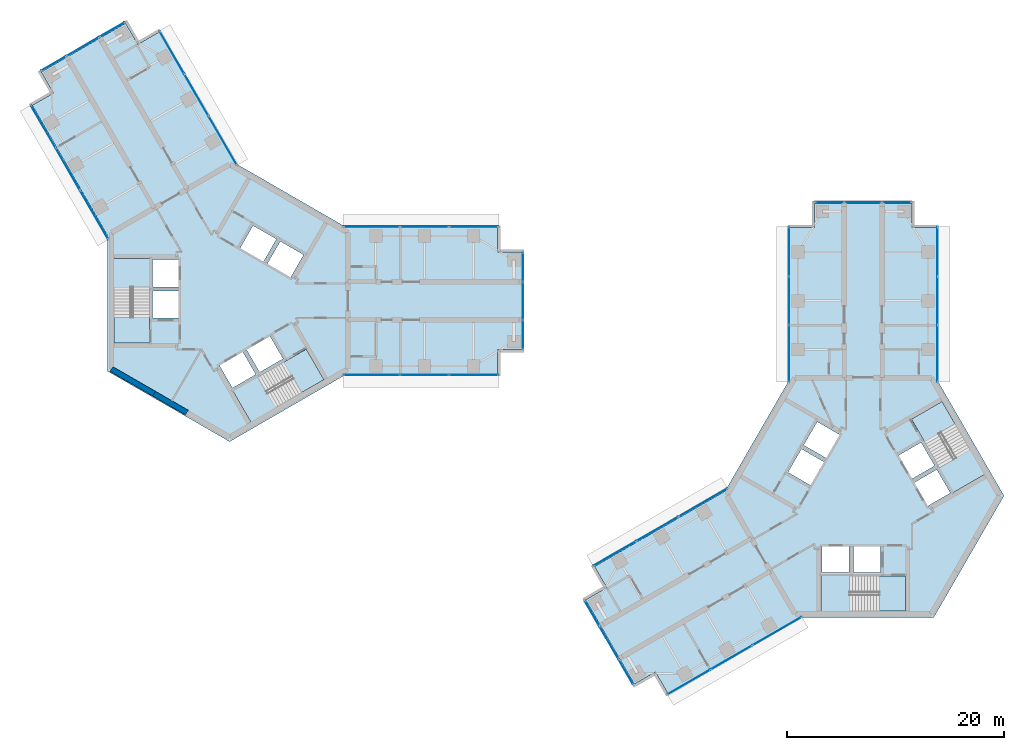
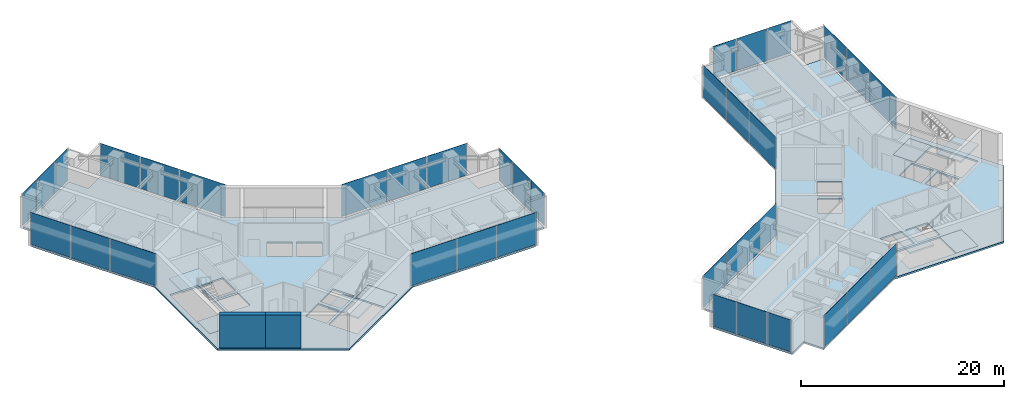
# One storey, part 10 of 17: 36 plates, 10 slabs, 2 walls, 16 elements without a shape of their own.
"""IFC4 building model written with IfcOpenShell, lengths in metres."""

from ifc_helpers import new_model, si_unit, direction, frame, frame_2d, origin, origin_2d, place, context, subcontext, project, spatial, polyline, rectangle, outline, extrude, material, layer, layer_set, type_object, element, aggregate, save


model = new_model("IFC4")

# Units and contexts
model_context = context("Model", 3, precision=1e-05, world=origin(), true_north=direction((0.0, 1.0)))
body_context = subcontext(model_context, "Body", "Model", "MODEL_VIEW")
ifc_project = project(units=[si_unit("LENGTHUNIT", "METRE"), si_unit("AREAUNIT", "SQUARE_METRE"), si_unit("VOLUMEUNIT", "CUBIC_METRE"), si_unit("PLANEANGLEUNIT", "RADIAN"), si_unit("MASSUNIT", "GRAM", prefix="KILO")], contexts=[model_context])

# Site, building, storey
site_placement = place(None, origin())
site = spatial("IfcSite", under=ifc_project, at=site_placement, CompositionType="ELEMENT")
building_placement = place(site_placement, origin())
building = spatial("IfcBuilding", under=site, at=building_placement, Name="Upepo Twin Towers", CompositionType="ELEMENT")
storey_placement = place(building_placement, frame((0.0, 0.0, 174.5)))
storey = spatial("IfcBuildingStorey", under=building, at=storey_placement, Name="L42", CompositionType="ELEMENT", Elevation=174.5)

# Curtain wall, plates
ifc_material_1 = material(Name="Aluminium and fritted glass", Category="aluminium")
curtain_wall_type = type_object("IfcCurtainWallType", Name="Tower curtain wall TW3, fritted glass", PredefinedType="NOTDEFINED", material=ifc_material_1)
curtain_wall_1_placement = place(storey_placement, origin())
curtain_wall_1 = element("IfcCurtainWall", 1, at=curtain_wall_1_placement, inside=storey, type_object=curtain_wall_type, Name="T1 L42 wing A flank L curtain wall", PredefinedType="NOTDEFINED")
ifc_material_2 = material(Name="Ceramic-fritted laminated glass", Category="glass")
ifc_layer_1 = layer(ifc_material_2, 0.031982421875)
ifc_layer_set_1 = layer_set([ifc_layer_1], Name="Fritted glass panel, 50 per cent dot frit, 32 mm double glazed")
plate_type_1 = type_object("IfcPlateType", Name="Fritted glass panel, 50 per cent dot frit, 32 mm double glazed", PredefinedType="CURTAIN_PANEL", material=ifc_layer_set_1)
plate_1_placement = place(storey_placement, frame((13.134765625, 6.85009765625, 0.14990234375), z_axis=(0.0, 0.0, 1.0), x_axis=(1.0, 0.0, 0.0)))
plate_1 = element("IfcPlate", 2, at=plate_1_placement, type_object=plate_type_1, Name="T1 L42 wing A flank L curtain wall panel 1", PredefinedType="CURTAIN_PANEL", context=body_context, shape_type="SweptSolid", body=[
    extrude(rectangle(XDim=5.165283203125, YDim=0.031982421875, at=origin_2d()), origin(), (0.0, 0.0, 1.0), 3.85009765625),
])
plate_2_placement = place(storey_placement, frame((18.0, 6.85009765625, 0.14990234375), z_axis=(0.0, 0.0, 1.0), x_axis=(1.0, 0.0, 0.0)))
plate_2 = element("IfcPlate", 3, at=plate_2_placement, type_object=plate_type_1, Name="T1 L42 wing A flank L curtain wall panel 2", PredefinedType="CURTAIN_PANEL", context=body_context, shape_type="SweptSolid", body=[
    extrude(rectangle(XDim=4.43505859375, YDim=0.031982421875, at=origin_2d()), origin(), (0.0, 0.0, 1.0), 3.85009765625),
])
plate_3_placement = place(storey_placement, frame((22.53369140625, 6.85009765625, 0.14990234375), z_axis=(0.0, 0.0, 1.0), x_axis=(1.0, 0.0, 0.0)))
plate_3 = element("IfcPlate", 4, at=plate_3_placement, type_object=plate_type_1, Name="T1 L42 wing A flank L curtain wall panel 3", PredefinedType="CURTAIN_PANEL", context=body_context, shape_type="SweptSolid", body=[
    extrude(rectangle(XDim=4.50244140625, YDim=0.031982421875, at=origin_2d()), origin(), (0.0, 0.0, 1.0), 3.85009765625),
])
aggregate(curtain_wall_1, [plate_1, plate_2, plate_3])

curtain_wall_2_placement = place(storey_placement, origin())
curtain_wall_2 = element("IfcCurtainWall", 5, at=curtain_wall_2_placement, inside=storey, type_object=curtain_wall_type, Name="T1 L42 wing A flank R curtain wall", PredefinedType="NOTDEFINED")
plate_4_placement = place(storey_placement, frame((22.53369140625, -6.85009765625, 0.14990234375), z_axis=(0.0, 0.0, 1.0), x_axis=(-1.0, 0.0, 0.0)))
plate_4 = element("IfcPlate", 6, at=plate_4_placement, type_object=plate_type_1, Name="T1 L42 wing A flank R curtain wall panel 1", PredefinedType="CURTAIN_PANEL", context=body_context, shape_type="SweptSolid", body=[
    extrude(rectangle(XDim=4.50244140625, YDim=0.031982421875, at=origin_2d()), origin(), (0.0, 0.0, 1.0), 3.85009765625),
])
plate_5_placement = place(storey_placement, frame((18.0, -6.85009765625, 0.14990234375), z_axis=(0.0, 0.0, 1.0), x_axis=(-1.0, 0.0, 0.0)))
plate_5 = element("IfcPlate", 7, at=plate_5_placement, type_object=plate_type_1, Name="T1 L42 wing A flank R curtain wall panel 2", PredefinedType="CURTAIN_PANEL", context=body_context, shape_type="SweptSolid", body=[
    extrude(rectangle(XDim=4.43505859375, YDim=0.031982421875, at=origin_2d()), origin(), (0.0, 0.0, 1.0), 3.85009765625),
])
plate_6_placement = place(storey_placement, frame((13.134765625, -6.85009765625, 0.14990234375), z_axis=(0.0, 0.0, 1.0), x_axis=(-1.0, 0.0, 0.0)))
plate_6 = element("IfcPlate", 8, at=plate_6_placement, type_object=plate_type_1, Name="T1 L42 wing A flank R curtain wall panel 3", PredefinedType="CURTAIN_PANEL", context=body_context, shape_type="SweptSolid", body=[
    extrude(rectangle(XDim=5.165283203125, YDim=0.031982421875, at=origin_2d()), origin(), (0.0, 0.0, 1.0), 3.85009765625),
])
aggregate(curtain_wall_2, [plate_4, plate_5, plate_6])

# Curtain wall, plate
curtain_wall_3_placement = place(storey_placement, origin())
curtain_wall_3 = element("IfcCurtainWall", 9, at=curtain_wall_3_placement, inside=storey, type_object=curtain_wall_type, Name="T1 L42 wing A nose curtain wall", PredefinedType="NOTDEFINED")
plate_7_placement = place(storey_placement, frame((27.10009765625, 0.0, 0.14990234375), z_axis=(0.0, 0.0, 1.0), x_axis=(0.0, 1.0, 0.0)))
plate_7 = element("IfcPlate", 10, at=plate_7_placement, type_object=plate_type_1, Name="T1 L42 wing A nose curtain wall panel 2", PredefinedType="CURTAIN_PANEL", context=body_context, shape_type="SweptSolid", body=[
    extrude(rectangle(XDim=3.43505859375, YDim=0.031982421875, at=origin_2d()), origin(), (0.0, 0.0, 1.0), 3.85009765625),
])

# Curtain wall, plates
curtain_wall_4_placement = place(storey_placement, origin())
curtain_wall_4 = element("IfcCurtainWall", 11, at=curtain_wall_4_placement, inside=storey, type_object=curtain_wall_type, Name="T1 L42 wing B flank L curtain wall", PredefinedType="NOTDEFINED")
plate_8_placement = place(storey_placement, frame((-12.499755859375, 7.9501953125, 0.14990234375), z_axis=(0.0, 0.0, 1.0), x_axis=(-0.500000026527, 0.866025388469, 0.0)))
plate_8 = element("IfcPlate", 12, at=plate_8_placement, type_object=plate_type_1, Name="T1 L42 wing B flank L curtain wall panel 1", PredefinedType="CURTAIN_PANEL", context=body_context, shape_type="SweptSolid", body=[
    extrude(rectangle(XDim=5.165283203125, YDim=0.031982421875, at=origin_2d()), origin(), (0.0, 0.0, 1.0), 3.85009765625),
])
plate_9_placement = place(storey_placement, frame((-14.932373046875, 12.16357421875, 0.14990234375), z_axis=(0.0, 0.0, 1.0), x_axis=(-0.500000026527, 0.866025388469, 0.0)))
plate_9 = element("IfcPlate", 13, at=plate_9_placement, type_object=plate_type_1, Name="T1 L42 wing B flank L curtain wall panel 2", PredefinedType="CURTAIN_PANEL", context=body_context, shape_type="SweptSolid", body=[
    extrude(rectangle(XDim=4.43505859375, YDim=0.031982421875, at=origin_2d()), origin(), (0.0, 0.0, 1.0), 3.85009765625),
])
plate_10_placement = place(storey_placement, frame((-17.19921875, 16.08984375, 0.14990234375), z_axis=(0.0, 0.0, 1.0), x_axis=(-0.500000026527, 0.866025388469, 0.0)))
plate_10 = element("IfcPlate", 14, at=plate_10_placement, type_object=plate_type_1, Name="T1 L42 wing B flank L curtain wall panel 3", PredefinedType="CURTAIN_PANEL", context=body_context, shape_type="SweptSolid", body=[
    extrude(rectangle(XDim=4.50244140625, YDim=0.031982421875, at=origin_2d()), origin(), (0.0, 0.0, 1.0), 3.85009765625),
])
aggregate(curtain_wall_4, [plate_8, plate_9, plate_10])

curtain_wall_5_placement = place(storey_placement, origin())
curtain_wall_5 = element("IfcCurtainWall", 15, at=curtain_wall_5_placement, inside=storey, type_object=curtain_wall_type, Name="T1 L42 wing B flank R curtain wall", PredefinedType="NOTDEFINED")
plate_11_placement = place(storey_placement, frame((-5.334716796875, 22.939697265625, 0.14990234375), z_axis=(0.0, 0.0, 1.0), x_axis=(0.500000026527, -0.866025388469, 0.0)))
plate_11 = element("IfcPlate", 16, at=plate_11_placement, type_object=plate_type_1, Name="T1 L42 wing B flank R curtain wall panel 1", PredefinedType="CURTAIN_PANEL", context=body_context, shape_type="SweptSolid", body=[
    extrude(rectangle(XDim=4.50244140625, YDim=0.031982421875, at=origin_2d()), origin(), (0.0, 0.0, 1.0), 3.85009765625),
])
plate_12_placement = place(storey_placement, frame((-3.067626953125, 19.013427734375, 0.14990234375), z_axis=(0.0, 0.0, 1.0), x_axis=(0.500000026527, -0.866025388469, 0.0)))
plate_12 = element("IfcPlate", 17, at=plate_12_placement, type_object=plate_type_1, Name="T1 L42 wing B flank R curtain wall panel 2", PredefinedType="CURTAIN_PANEL", context=body_context, shape_type="SweptSolid", body=[
    extrude(rectangle(XDim=4.43505859375, YDim=0.031982421875, at=origin_2d()), origin(), (0.0, 0.0, 1.0), 3.85009765625),
])
plate_13_placement = place(storey_placement, frame((-0.635009765625, 14.800048828125, 0.14990234375), z_axis=(0.0, 0.0, 1.0), x_axis=(0.500000026527, -0.866025388469, 0.0)))
plate_13 = element("IfcPlate", 18, at=plate_13_placement, type_object=plate_type_1, Name="T1 L42 wing B flank R curtain wall panel 3", PredefinedType="CURTAIN_PANEL", context=body_context, shape_type="SweptSolid", body=[
    extrude(rectangle(XDim=5.165283203125, YDim=0.031982421875, at=origin_2d()), origin(), (0.0, 0.0, 1.0), 3.85009765625),
])
aggregate(curtain_wall_5, [plate_11, plate_12, plate_13])

# Curtain wall, plate
curtain_wall_6_placement = place(storey_placement, origin())
curtain_wall_6 = element("IfcCurtainWall", 19, at=curtain_wall_6_placement, inside=storey, type_object=curtain_wall_type, Name="T1 L42 wing B nose curtain wall", PredefinedType="NOTDEFINED")
plate_14_placement = place(storey_placement, frame((-13.550048828125, 23.46923828125, 0.14990234375), z_axis=(0.0, 0.0, 1.0), x_axis=(-0.866025386174, -0.500000030502, 0.0)))
plate_14 = element("IfcPlate", 20, at=plate_14_placement, type_object=plate_type_1, Name="T1 L42 wing B nose curtain wall panel 2", PredefinedType="CURTAIN_PANEL", context=body_context, shape_type="SweptSolid", body=[
    extrude(rectangle(XDim=3.43505859375, YDim=0.031982421875, at=origin_2d()), origin(), (0.0, 0.0, 1.0), 3.85009765625),
])

# Curtain wall, plates
curtain_wall_7_placement = place(storey_placement, origin())
curtain_wall_7 = element("IfcCurtainWall", 21, at=curtain_wall_7_placement, inside=storey, type_object=curtain_wall_type, Name="T2 L42 wing A flank L curtain wall", PredefinedType="NOTDEFINED")
plate_15_placement = place(storey_placement, frame((51.64990234375, -4.865234375, 0.14990234375), z_axis=(0.0, 0.0, 1.0), x_axis=(0.0, 1.0, 0.0)))
plate_15 = element("IfcPlate", 22, at=plate_15_placement, type_object=plate_type_1, Name="T2 L42 wing A flank L curtain wall panel 1", PredefinedType="CURTAIN_PANEL", context=body_context, shape_type="SweptSolid", body=[
    extrude(rectangle(XDim=5.165283203125, YDim=0.031982421875, at=origin_2d()), origin(), (0.0, 0.0, 1.0), 3.85009765625),
])
plate_16_placement = place(storey_placement, frame((51.64990234375, 0.0, 0.14990234375), z_axis=(0.0, 0.0, 1.0), x_axis=(0.0, 1.0, 0.0)))
plate_16 = element("IfcPlate", 23, at=plate_16_placement, type_object=plate_type_1, Name="T2 L42 wing A flank L curtain wall panel 2", PredefinedType="CURTAIN_PANEL", context=body_context, shape_type="SweptSolid", body=[
    extrude(rectangle(XDim=4.43505859375, YDim=0.031982421875, at=origin_2d()), origin(), (0.0, 0.0, 1.0), 3.85009765625),
])
plate_17_placement = place(storey_placement, frame((51.64990234375, 4.53369140625, 0.14990234375), z_axis=(0.0, 0.0, 1.0), x_axis=(0.0, 1.0, 0.0)))
plate_17 = element("IfcPlate", 24, at=plate_17_placement, type_object=plate_type_1, Name="T2 L42 wing A flank L curtain wall panel 3", PredefinedType="CURTAIN_PANEL", context=body_context, shape_type="SweptSolid", body=[
    extrude(rectangle(XDim=4.50244140625, YDim=0.031982421875, at=origin_2d()), origin(), (0.0, 0.0, 1.0), 3.85009765625),
])
aggregate(curtain_wall_7, [plate_15, plate_16, plate_17])

curtain_wall_8_placement = place(storey_placement, origin())
curtain_wall_8 = element("IfcCurtainWall", 25, at=curtain_wall_8_placement, inside=storey, type_object=curtain_wall_type, Name="T2 L42 wing A flank R curtain wall", PredefinedType="NOTDEFINED")
plate_18_placement = place(storey_placement, frame((65.35009765625, 4.53369140625, 0.14990234375), z_axis=(0.0, 0.0, 1.0), x_axis=(0.0, -1.0, 0.0)))
plate_18 = element("IfcPlate", 26, at=plate_18_placement, type_object=plate_type_1, Name="T2 L42 wing A flank R curtain wall panel 1", PredefinedType="CURTAIN_PANEL", context=body_context, shape_type="SweptSolid", body=[
    extrude(rectangle(XDim=4.50244140625, YDim=0.031982421875, at=origin_2d()), origin(), (0.0, 0.0, 1.0), 3.85009765625),
])
plate_19_placement = place(storey_placement, frame((65.35009765625, 0.0, 0.14990234375), z_axis=(0.0, 0.0, 1.0), x_axis=(0.0, -1.0, 0.0)))
plate_19 = element("IfcPlate", 27, at=plate_19_placement, type_object=plate_type_1, Name="T2 L42 wing A flank R curtain wall panel 2", PredefinedType="CURTAIN_PANEL", context=body_context, shape_type="SweptSolid", body=[
    extrude(rectangle(XDim=4.43505859375, YDim=0.031982421875, at=origin_2d()), origin(), (0.0, 0.0, 1.0), 3.85009765625),
])
plate_20_placement = place(storey_placement, frame((65.35009765625, -4.865234375, 0.14990234375), z_axis=(0.0, 0.0, 1.0), x_axis=(0.0, -1.0, 0.0)))
plate_20 = element("IfcPlate", 28, at=plate_20_placement, type_object=plate_type_1, Name="T2 L42 wing A flank R curtain wall panel 3", PredefinedType="CURTAIN_PANEL", context=body_context, shape_type="SweptSolid", body=[
    extrude(rectangle(XDim=5.165283203125, YDim=0.031982421875, at=origin_2d()), origin(), (0.0, 0.0, 1.0), 3.85009765625),
])
aggregate(curtain_wall_8, [plate_18, plate_19, plate_20])

# Curtain wall, plate
curtain_wall_9_placement = place(storey_placement, origin())
curtain_wall_9 = element("IfcCurtainWall", 29, at=curtain_wall_9_placement, inside=storey, type_object=curtain_wall_type, Name="T2 L42 wing A nose curtain wall", PredefinedType="NOTDEFINED")
plate_21_placement = place(storey_placement, frame((58.5, 9.10009765625, 0.14990234375), z_axis=(0.0, 0.0, 1.0), x_axis=(-1.0, 0.0, 0.0)))
plate_21 = element("IfcPlate", 30, at=plate_21_placement, type_object=plate_type_1, Name="T2 L42 wing A nose curtain wall panel 2", PredefinedType="CURTAIN_PANEL", context=body_context, shape_type="SweptSolid", body=[
    extrude(rectangle(XDim=3.43505859375, YDim=0.031982421875, at=origin_2d()), origin(), (0.0, 0.0, 1.0), 3.85009765625),
])

# Curtain wall, plates
curtain_wall_10_placement = place(storey_placement, origin())
curtain_wall_10 = element("IfcCurtainWall", 31, at=curtain_wall_10_placement, inside=storey, type_object=curtain_wall_type, Name="T2 L42 wing B flank L curtain wall", PredefinedType="NOTDEFINED")
plate_22_placement = place(storey_placement, frame((50.5498046875, -30.499755859375, 0.14990234375), z_axis=(0.0, 0.0, 1.0), x_axis=(-0.866025388469, -0.500000026527, 0.0)))
plate_22 = element("IfcPlate", 32, at=plate_22_placement, type_object=plate_type_1, Name="T2 L42 wing B flank L curtain wall panel 1", PredefinedType="CURTAIN_PANEL", context=body_context, shape_type="SweptSolid", body=[
    extrude(rectangle(XDim=5.165283203125, YDim=0.031982421875, at=origin_2d()), origin(), (0.0, 0.0, 1.0), 3.85009765625),
])
plate_23_placement = place(storey_placement, frame((46.33642578125, -32.932373046875, 0.14990234375), z_axis=(0.0, 0.0, 1.0), x_axis=(-0.866025388469, -0.500000026527, 0.0)))
plate_23 = element("IfcPlate", 33, at=plate_23_placement, type_object=plate_type_1, Name="T2 L42 wing B flank L curtain wall panel 2", PredefinedType="CURTAIN_PANEL", context=body_context, shape_type="SweptSolid", body=[
    extrude(rectangle(XDim=4.43505859375, YDim=0.031982421875, at=origin_2d()), origin(), (0.0, 0.0, 1.0), 3.85009765625),
])
plate_24_placement = place(storey_placement, frame((42.41015625, -35.19921875, 0.14990234375), z_axis=(0.0, 0.0, 1.0), x_axis=(-0.866025388469, -0.500000026527, 0.0)))
plate_24 = element("IfcPlate", 34, at=plate_24_placement, type_object=plate_type_1, Name="T2 L42 wing B flank L curtain wall panel 3", PredefinedType="CURTAIN_PANEL", context=body_context, shape_type="SweptSolid", body=[
    extrude(rectangle(XDim=4.50244140625, YDim=0.031982421875, at=origin_2d()), origin(), (0.0, 0.0, 1.0), 3.85009765625),
])
aggregate(curtain_wall_10, [plate_22, plate_23, plate_24])

curtain_wall_11_placement = place(storey_placement, origin())
curtain_wall_11 = element("IfcCurtainWall", 35, at=curtain_wall_11_placement, inside=storey, type_object=curtain_wall_type, Name="T2 L42 wing B flank R curtain wall", PredefinedType="NOTDEFINED")
plate_25_placement = place(storey_placement, frame((35.560302734375, -23.334716796875, 0.14990234375), z_axis=(0.0, 0.0, 1.0), x_axis=(0.866025388469, 0.500000026527, 0.0)))
plate_25 = element("IfcPlate", 36, at=plate_25_placement, type_object=plate_type_1, Name="T2 L42 wing B flank R curtain wall panel 1", PredefinedType="CURTAIN_PANEL", context=body_context, shape_type="SweptSolid", body=[
    extrude(rectangle(XDim=4.50244140625, YDim=0.031982421875, at=origin_2d()), origin(), (0.0, 0.0, 1.0), 3.85009765625),
])
plate_26_placement = place(storey_placement, frame((39.486572265625, -21.067626953125, 0.14990234375), z_axis=(0.0, 0.0, 1.0), x_axis=(0.866025388469, 0.500000026527, 0.0)))
plate_26 = element("IfcPlate", 37, at=plate_26_placement, type_object=plate_type_1, Name="T2 L42 wing B flank R curtain wall panel 2", PredefinedType="CURTAIN_PANEL", context=body_context, shape_type="SweptSolid", body=[
    extrude(rectangle(XDim=4.43505859375, YDim=0.031982421875, at=origin_2d()), origin(), (0.0, 0.0, 1.0), 3.85009765625),
])
plate_27_placement = place(storey_placement, frame((43.699951171875, -18.635009765625, 0.14990234375), z_axis=(0.0, 0.0, 1.0), x_axis=(0.866025388469, 0.500000026527, 0.0)))
plate_27 = element("IfcPlate", 38, at=plate_27_placement, type_object=plate_type_1, Name="T2 L42 wing B flank R curtain wall panel 3", PredefinedType="CURTAIN_PANEL", context=body_context, shape_type="SweptSolid", body=[
    extrude(rectangle(XDim=5.165283203125, YDim=0.031982421875, at=origin_2d()), origin(), (0.0, 0.0, 1.0), 3.85009765625),
])
aggregate(curtain_wall_11, [plate_25, plate_26, plate_27])

# Curtain wall, plate
curtain_wall_12_placement = place(storey_placement, origin())
curtain_wall_12 = element("IfcCurtainWall", 39, at=curtain_wall_12_placement, inside=storey, type_object=curtain_wall_type, Name="T2 L42 wing B nose curtain wall", PredefinedType="NOTDEFINED")
plate_28_placement = place(storey_placement, frame((35.03076171875, -31.550048828125, 0.14990234375), z_axis=(0.0, 0.0, 1.0), x_axis=(0.500000030502, -0.866025386174, 0.0)))
plate_28 = element("IfcPlate", 40, at=plate_28_placement, type_object=plate_type_1, Name="T2 L42 wing B nose curtain wall panel 2", PredefinedType="CURTAIN_PANEL", context=body_context, shape_type="SweptSolid", body=[
    extrude(rectangle(XDim=3.43505859375, YDim=0.031982421875, at=origin_2d()), origin(), (0.0, 0.0, 1.0), 3.85009765625),
])

# Plate
ifc_material_3 = material(Name="Clear laminated glass in opening sash", Category="glass")
ifc_layer_2 = layer(ifc_material_3, 0.031982421875)
ifc_layer_set_2 = layer_set([ifc_layer_2], Name="Operable glass panel, 32 mm double glazed")
plate_type_2 = type_object("IfcPlateType", Name="Operable glass panel, 32 mm double glazed", PredefinedType="CURTAIN_PANEL", material=ifc_layer_set_2)
plate_29_placement = place(storey_placement, frame((27.10009765625, -3.108642578125, 0.14990234375), z_axis=(0.0, 0.0, 1.0), x_axis=(0.0, 1.0, 0.0)))
plate_29 = element("IfcPlate", 41, at=plate_29_placement, type_object=plate_type_2, Name="T1 L42 wing A nose curtain wall panel 1", PredefinedType="CURTAIN_PANEL", context=body_context, shape_type="SweptSolid", body=[
    extrude(rectangle(XDim=2.652587890625, YDim=0.031982421875, at=origin_2d()), origin(), (0.0, 0.0, 1.0), 3.85009765625),
])

plate_30_placement = place(storey_placement, frame((27.10009765625, 3.108642578125, 0.14990234375), z_axis=(0.0, 0.0, 1.0), x_axis=(0.0, 1.0, 0.0)))
plate_30 = element("IfcPlate", 42, at=plate_30_placement, type_object=plate_type_2, Name="T1 L42 wing A nose curtain wall panel 3", PredefinedType="CURTAIN_PANEL", context=body_context, shape_type="SweptSolid", body=[
    extrude(rectangle(XDim=2.652587890625, YDim=0.031982421875, at=origin_2d()), origin(), (0.0, 0.0, 1.0), 3.85009765625),
])

aggregate(curtain_wall_3, [plate_29, plate_7, plate_30])

plate_31_placement = place(storey_placement, frame((-10.857666015625, 25.023681640625, 0.14990234375), z_axis=(0.0, 0.0, 1.0), x_axis=(-0.866025386174, -0.500000030502, 0.0)))
plate_31 = element("IfcPlate", 43, at=plate_31_placement, type_object=plate_type_2, Name="T1 L42 wing B nose curtain wall panel 1", PredefinedType="CURTAIN_PANEL", context=body_context, shape_type="SweptSolid", body=[
    extrude(rectangle(XDim=2.652587890625, YDim=0.031982421875, at=origin_2d()), origin(), (0.0, 0.0, 1.0), 3.85009765625),
])

plate_32_placement = place(storey_placement, frame((-16.2421875, 21.914794921875, 0.14990234375), z_axis=(0.0, 0.0, 1.0), x_axis=(-0.866025386174, -0.500000030502, 0.0)))
plate_32 = element("IfcPlate", 44, at=plate_32_placement, type_object=plate_type_2, Name="T1 L42 wing B nose curtain wall panel 3", PredefinedType="CURTAIN_PANEL", context=body_context, shape_type="SweptSolid", body=[
    extrude(rectangle(XDim=2.652587890625, YDim=0.031982421875, at=origin_2d()), origin(), (0.0, 0.0, 1.0), 3.85009765625),
])

aggregate(curtain_wall_6, [plate_31, plate_14, plate_32])

plate_33_placement = place(storey_placement, frame((61.608642578125, 9.10009765625, 0.14990234375), z_axis=(0.0, 0.0, 1.0), x_axis=(-1.0, 0.0, 0.0)))
plate_33 = element("IfcPlate", 45, at=plate_33_placement, type_object=plate_type_2, Name="T2 L42 wing A nose curtain wall panel 1", PredefinedType="CURTAIN_PANEL", context=body_context, shape_type="SweptSolid", body=[
    extrude(rectangle(XDim=2.652587890625, YDim=0.031982421875, at=origin_2d()), origin(), (0.0, 0.0, 1.0), 3.85009765625),
])

plate_34_placement = place(storey_placement, frame((55.391357421875, 9.10009765625, 0.14990234375), z_axis=(0.0, 0.0, 1.0), x_axis=(-1.0, 0.0, 0.0)))
plate_34 = element("IfcPlate", 46, at=plate_34_placement, type_object=plate_type_2, Name="T2 L42 wing A nose curtain wall panel 3", PredefinedType="CURTAIN_PANEL", context=body_context, shape_type="SweptSolid", body=[
    extrude(rectangle(XDim=2.652587890625, YDim=0.031982421875, at=origin_2d()), origin(), (0.0, 0.0, 1.0), 3.85009765625),
])

aggregate(curtain_wall_9, [plate_33, plate_21, plate_34])

plate_35_placement = place(storey_placement, frame((33.476318359375, -28.857666015625, 0.14990234375), z_axis=(0.0, 0.0, 1.0), x_axis=(0.500000030502, -0.866025386174, 0.0)))
plate_35 = element("IfcPlate", 47, at=plate_35_placement, type_object=plate_type_2, Name="T2 L42 wing B nose curtain wall panel 1", PredefinedType="CURTAIN_PANEL", context=body_context, shape_type="SweptSolid", body=[
    extrude(rectangle(XDim=2.652587890625, YDim=0.031982421875, at=origin_2d()), origin(), (0.0, 0.0, 1.0), 3.85009765625),
])

plate_36_placement = place(storey_placement, frame((36.585205078125, -34.2421875, 0.14990234375), z_axis=(0.0, 0.0, 1.0), x_axis=(0.500000030502, -0.866025386174, 0.0)))
plate_36 = element("IfcPlate", 48, at=plate_36_placement, type_object=plate_type_2, Name="T2 L42 wing B nose curtain wall panel 3", PredefinedType="CURTAIN_PANEL", context=body_context, shape_type="SweptSolid", body=[
    extrude(rectangle(XDim=2.652587890625, YDim=0.031982421875, at=origin_2d()), origin(), (0.0, 0.0, 1.0), 3.85009765625),
])

aggregate(curtain_wall_12, [plate_35, plate_28, plate_36])

# Stair, slabs
ifc_material_4 = material(Name="Concrete C40/50", Category="concrete")
stair_type = type_object("IfcStairType", Name="Core stair, two flights", PredefinedType="HALF_TURN_STAIR", material=ifc_material_4)
stair_1_placement = place(storey_placement, origin())
stair_1 = element("IfcStair", 49, at=stair_1_placement, inside=storey, type_object=stair_type, Name="T1 stair S1 L42", PredefinedType="HALF_TURN_STAIR")
ifc_material_5 = material(Name="Concrete C40/50", Category="concrete")
ifc_layer_3 = layer(ifc_material_5, 0.199951171875)
ifc_layer_set_3 = layer_set([ifc_layer_3], Name="Concrete C40/50")
slab_type_1 = type_object("IfcSlabType", Name="Stair landing 200 RC", PredefinedType="LANDING", material=ifc_layer_set_3)
slab_1_placement = place(storey_placement, frame((0.0, 0.0, -0.199951171875)))
slab_1 = element("IfcSlab", 50, at=slab_1_placement, type_object=slab_type_1, Name="Stair S1 landing 1", PredefinedType="LANDING", context=body_context, shape_type="SweptSolid", body=[
    extrude(outline(polyline([(-7.39990234375, -1.419921875), (-10.658447265625, -1.419921875), (-10.658447265625, -3.89990234375), (-7.39990234375, -3.89990234375), (-7.39990234375, -1.419921875)])), origin(), (0.0, 0.0, 1.0), 0.199951171875),
])
slab_2_placement = place(storey_placement, frame((0.0, 0.0, 1.800048828125)))
slab_2 = element("IfcSlab", 51, at=slab_2_placement, type_object=slab_type_1, Name="Stair S1 landing 2", PredefinedType="LANDING", context=body_context, shape_type="SweptSolid", body=[
    extrude(outline(polyline([(-7.300048828125, 3.89990234375), (-10.75830078125, 3.89990234375), (-10.75830078125, 1.179931640625), (-7.300048828125, 1.179931640625), (-7.300048828125, 3.89990234375)])), origin(), (0.0, 0.0, 1.0), 0.199951171875),
])
aggregate(stair_1, [slab_1, slab_2])

stair_2_placement = place(storey_placement, origin())
stair_2 = element("IfcStair", 52, at=stair_2_placement, inside=storey, type_object=stair_type, Name="T1 stair S2 L42", PredefinedType="HALF_TURN_STAIR")
slab_3_placement = place(storey_placement, frame((0.0, 0.0, -0.199951171875)))
slab_3 = element("IfcSlab", 53, at=slab_3_placement, type_object=slab_type_1, Name="Stair S2 landing 1", PredefinedType="LANDING", context=body_context, shape_type="SweptSolid", body=[
    extrude(outline(polyline([(4.9296875, -5.698486328125), (6.558837890625, -8.520263671875), (8.70654296875, -7.2802734375), (7.077392578125, -4.45849609375), (4.9296875, -5.698486328125)])), origin(), (0.0, 0.0, 1.0), 0.199951171875),
])
slab_4_placement = place(storey_placement, frame((0.0, 0.0, 1.800048828125)))
slab_4 = element("IfcSlab", 54, at=slab_4_placement, type_object=slab_type_1, Name="Stair S2 landing 2", PredefinedType="LANDING", context=body_context, shape_type="SweptSolid", body=[
    extrude(outline(polyline([(0.2724609375, -8.27197265625), (2.001708984375, -11.26708984375), (4.357177734375, -9.906982421875), (2.628173828125, -6.911865234375), (0.2724609375, -8.27197265625)])), origin(), (0.0, 0.0, 1.0), 0.199951171875),
])
aggregate(stair_2, [slab_3, slab_4])

stair_3_placement = place(storey_placement, origin())
stair_3 = element("IfcStair", 55, at=stair_3_placement, inside=storey, type_object=stair_type, Name="T2 stair S1 L42", PredefinedType="HALF_TURN_STAIR")
slab_5_placement = place(storey_placement, frame((0.0, 0.0, -0.199951171875)))
slab_5 = element("IfcSlab", 56, at=slab_5_placement, type_object=slab_type_1, Name="Stair S1 landing 1", PredefinedType="LANDING", context=body_context, shape_type="SweptSolid", body=[
    extrude(outline(polyline([(59.919921875, -25.39990234375), (59.919921875, -28.658447265625), (62.39990234375, -28.658447265625), (62.39990234375, -25.39990234375), (59.919921875, -25.39990234375)])), origin(), (0.0, 0.0, 1.0), 0.199951171875),
])
slab_6_placement = place(storey_placement, frame((0.0, 0.0, 1.800048828125)))
slab_6 = element("IfcSlab", 57, at=slab_6_placement, type_object=slab_type_1, Name="Stair S1 landing 2", PredefinedType="LANDING", context=body_context, shape_type="SweptSolid", body=[
    extrude(outline(polyline([(54.60009765625, -25.300048828125), (54.60009765625, -28.75830078125), (57.320068359375, -28.75830078125), (57.320068359375, -25.300048828125), (54.60009765625, -25.300048828125)])), origin(), (0.0, 0.0, 1.0), 0.199951171875),
])
aggregate(stair_3, [slab_5, slab_6])

stair_4_placement = place(storey_placement, origin())
stair_4 = element("IfcStair", 58, at=stair_4_placement, inside=storey, type_object=stair_type, Name="T2 stair S2 L42", PredefinedType="HALF_TURN_STAIR")
slab_7_placement = place(storey_placement, frame((0.0, 0.0, -0.199951171875)))
slab_7 = element("IfcSlab", 59, at=slab_7_placement, type_object=slab_type_1, Name="Stair S2 landing 1", PredefinedType="LANDING", context=body_context, shape_type="SweptSolid", body=[
    extrude(outline(polyline([(64.198486328125, -13.0703125), (67.020263671875, -11.441162109375), (65.7802734375, -9.29345703125), (62.95849609375, -10.922607421875), (64.198486328125, -13.0703125)])), origin(), (0.0, 0.0, 1.0), 0.199951171875),
])
slab_8_placement = place(storey_placement, frame((0.0, 0.0, 1.800048828125)))
slab_8 = element("IfcSlab", 60, at=slab_8_placement, type_object=slab_type_1, Name="Stair S2 landing 2", PredefinedType="LANDING", context=body_context, shape_type="SweptSolid", body=[
    extrude(outline(polyline([(66.77197265625, -17.7275390625), (69.76708984375, -15.998291015625), (68.406982421875, -13.642822265625), (65.411865234375, -15.371826171875), (66.77197265625, -17.7275390625)])), origin(), (0.0, 0.0, 1.0), 0.199951171875),
])
aggregate(stair_4, [slab_7, slab_8])

# Slabs
ifc_material_6 = material(Name="Concrete C40/50", Category="concrete")
ifc_layer_4 = layer(ifc_material_6, 0.199951171875)
ifc_layer_set_4 = layer_set([ifc_layer_4], Name="Concrete C40/50")
slab_type_2 = type_object("IfcSlabType", Name="Tower floor slab 200 RC", PredefinedType="FLOOR", material=ifc_layer_set_4)
slab_9_placement = place(storey_placement, frame((0.0, 0.0, -0.199951171875)))
element("IfcSlab", 61, at=slab_9_placement, inside=storey, type_object=slab_type_2, Name="T1 L42 floor slab", PredefinedType="FLOOR", context=body_context, shape_type="SweptSolid", body=[
    extrude(outline(polyline([(10.825439453125, 6.75), (24.75, 6.75), (24.75, 4.5), (27.0, 4.5), (27.0, -4.5), (24.75, -4.5), (24.75, -6.75), (10.825439453125, -6.75), (0.0, -13.0), (-11.25830078125, -6.5), (-11.25830078125, 6.0), (-18.220703125, 18.05908203125), (-16.272216796875, 19.18408203125), (-17.397216796875, 21.132568359375), (-9.602783203125, 25.632568359375), (-8.477783203125, 23.68408203125), (-6.529296875, 24.80908203125), (0.43310546875, 12.75), (10.825439453125, 6.75)]), holes=[polyline([(5.640869140625, 2.17041015625), (6.8408203125, 4.248779296875), (4.67578125, 5.498779296875), (3.475830078125, 3.42041015625), (5.640869140625, 2.17041015625)]), polyline([(3.12939453125, 3.620361328125), (4.329345703125, 5.69873046875), (2.164306640625, 6.94873046875), (0.96435546875, 4.870361328125), (3.12939453125, 3.620361328125)]), polyline([(-4.699951171875, 3.800048828125), (-7.10009765625, 3.800048828125), (-7.10009765625, 1.300048828125), (-4.699951171875, 1.300048828125), (-4.699951171875, 3.800048828125)]), polyline([(-4.699951171875, 0.89990234375), (-7.10009765625, 0.89990234375), (-7.10009765625, -1.60009765625), (-4.699951171875, -1.60009765625), (-4.699951171875, 0.89990234375)]), polyline([(-7.39990234375, 3.89990234375), (-10.658447265625, 3.89990234375), (-10.658447265625, -3.89990234375), (-7.39990234375, -3.89990234375), (-7.39990234375, 3.89990234375)]), polyline([(-0.94091796875, -5.97021484375), (0.259033203125, -8.048828125), (2.424072265625, -6.798828125), (1.22412109375, -4.72021484375), (-0.94091796875, -5.97021484375)]), polyline([(1.570556640625, -4.520263671875), (2.7705078125, -6.598876953125), (4.935546875, -5.348876953125), (3.735595703125, -3.270263671875), (1.570556640625, -4.520263671875)]), polyline([(0.322509765625, -8.358642578125), (1.95166015625, -11.180419921875), (8.70654296875, -7.2802734375), (7.077392578125, -4.45849609375), (0.322509765625, -8.358642578125)])]), origin(), (0.0, 0.0, 1.0), 0.199951171875),
])
slab_10_placement = place(storey_placement, frame((0.0, 0.0, -0.199951171875)))
element("IfcSlab", 62, at=slab_10_placement, inside=storey, type_object=slab_type_2, Name="T2 L42 floor slab", PredefinedType="FLOOR", context=body_context, shape_type="SweptSolid", body=[
    extrude(outline(polyline([(51.75, -7.174560546875), (51.75, 6.75), (54.0, 6.75), (54.0, 9.0), (63.0, 9.0), (63.0, 6.75), (65.25, 6.75), (65.25, -7.174560546875), (71.5, -18.0), (65.0, -29.25830078125), (52.5, -29.25830078125), (40.44091796875, -36.220703125), (39.31591796875, -34.272216796875), (37.367431640625, -35.397216796875), (32.867431640625, -27.602783203125), (34.81591796875, -26.477783203125), (33.69091796875, -24.529296875), (45.75, -17.56689453125), (51.75, -7.174560546875)]), holes=[polyline([(56.32958984375, -12.359130859375), (54.251220703125, -11.1591796875), (53.001220703125, -13.32421875), (55.07958984375, -14.524169921875), (56.32958984375, -12.359130859375)]), polyline([(54.879638671875, -14.87060546875), (52.80126953125, -13.670654296875), (51.55126953125, -15.835693359375), (53.629638671875, -17.03564453125), (54.879638671875, -14.87060546875)]), polyline([(54.699951171875, -22.699951171875), (54.699951171875, -25.10009765625), (57.199951171875, -25.10009765625), (57.199951171875, -22.699951171875), (54.699951171875, -22.699951171875)]), polyline([(57.60009765625, -22.699951171875), (57.60009765625, -25.10009765625), (60.10009765625, -25.10009765625), (60.10009765625, -22.699951171875), (57.60009765625, -22.699951171875)]), polyline([(54.60009765625, -25.39990234375), (54.60009765625, -28.658447265625), (62.39990234375, -28.658447265625), (62.39990234375, -25.39990234375), (54.60009765625, -25.39990234375)]), polyline([(64.47021484375, -18.94091796875), (66.548828125, -17.740966796875), (65.298828125, -15.575927734375), (63.22021484375, -16.77587890625), (64.47021484375, -18.94091796875)]), polyline([(63.020263671875, -16.429443359375), (65.098876953125, -15.2294921875), (63.848876953125, -13.064453125), (61.770263671875, -14.264404296875), (63.020263671875, -16.429443359375)]), polyline([(66.858642578125, -17.677490234375), (69.680419921875, -16.04833984375), (65.7802734375, -9.29345703125), (62.95849609375, -10.922607421875), (66.858642578125, -17.677490234375)])]), origin(), (0.0, 0.0, 1.0), 0.199951171875),
])

# Walls
ifc_material_7 = material(Name="Concrete C60/75", Category="concrete")
ifc_layer_5 = layer(ifc_material_7, 0.5)
ifc_layer_set_5 = layer_set([ifc_layer_5], Name="Concrete C60/75")
wall_type = type_object("IfcWallType", Name="Core wall 500 RC", PredefinedType="SHEAR", material=ifc_layer_set_5)
wall_1_placement = place(storey_placement, frame((-10.908447265625, -6.2978515625, 0.0), z_axis=(0.0, 0.0, 1.0), x_axis=(0.866034513004, -0.499984222037, 0.0)))
element("IfcWall", 63, at=wall_1_placement, inside=storey, type_object=wall_type, Name="T1 core wall 240 R", PredefinedType="SHEAR", context=body_context, shape_type="SweptSolid", body=[
    extrude(rectangle(XDim=4.548095703125, YDim=0.5, at=frame_2d((2.27392578125, 0.0))), origin(), (0.0, 0.0, 1.0), 4.0),
])
wall_2_placement = place(storey_placement, frame((-6.9697265625, -8.57177734375, 0.0), z_axis=(0.0, 0.0, 1.0), x_axis=(0.866019471182, -0.500010275428, 0.0)))
element("IfcWall", 64, at=wall_2_placement, inside=storey, type_object=wall_type, Name="T1 core wall 240", PredefinedType="SHEAR", context=body_context, shape_type="SweptSolid", body=[
    extrude(rectangle(XDim=3.5, YDim=0.5, at=frame_2d((1.75, 0.0))), origin(), (0.0, 0.0, 1.0), 4.0),
])

save(model, "model.ifc")
